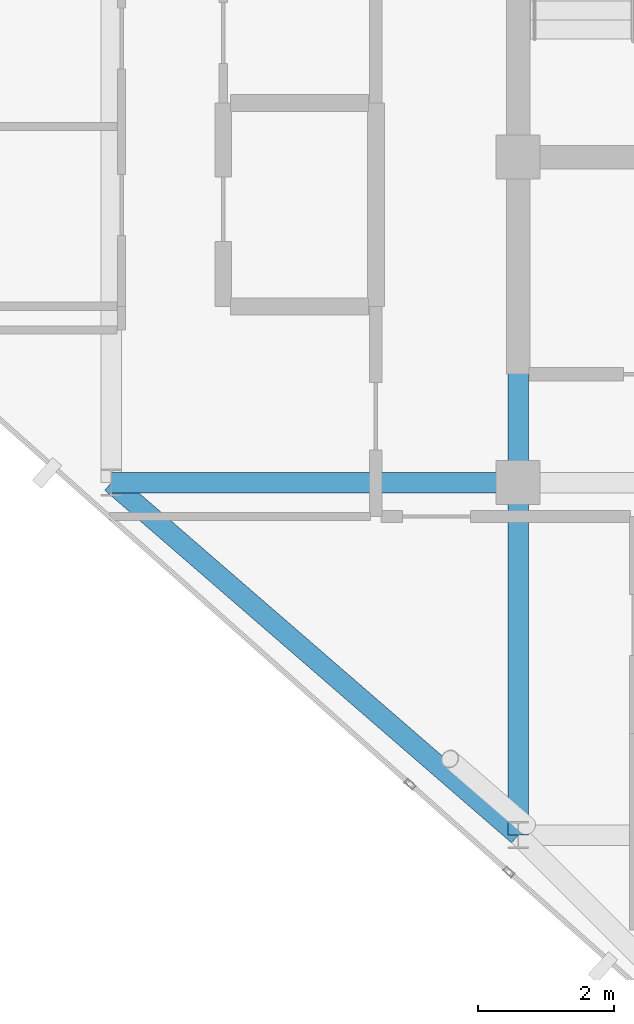
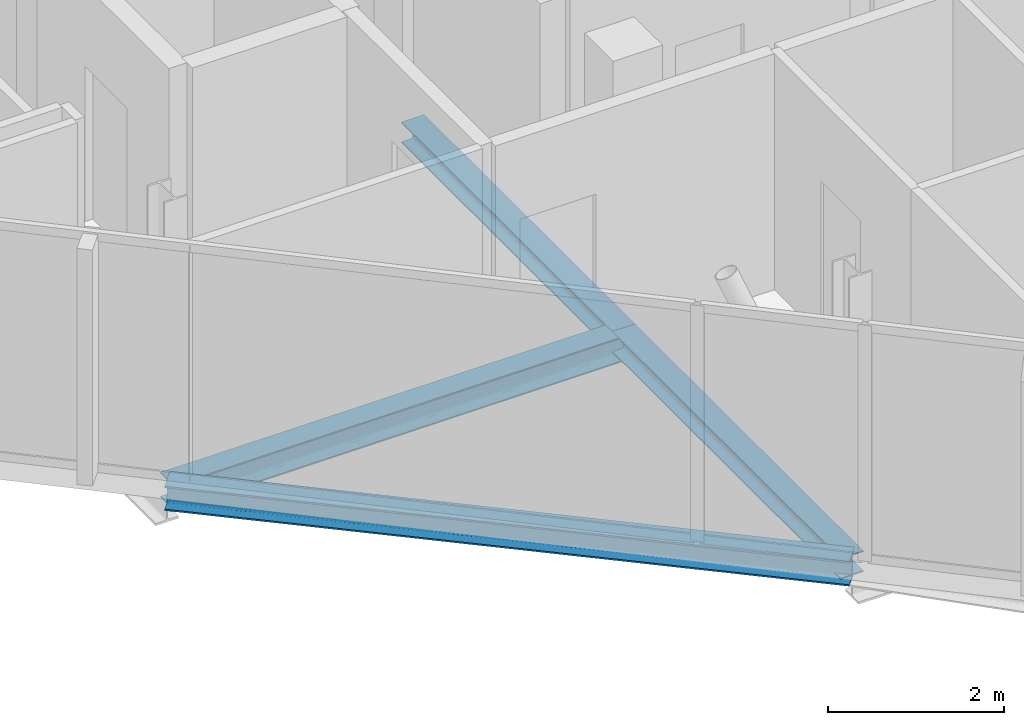
# One storey, part 5 of 27: 4 beams.
"""IFC4 building model written with IfcOpenShell, lengths in metres."""

from ifc_helpers import new_model, si_unit, direction, frame, origin, origin_2d, place, context, subcontext, project, spatial, i_section, extrude, material, material_profile, profile_set, type_object, element, save


model = new_model("IFC4")

# Units and contexts
model_context = context("Model", 3, precision=1e-05, world=origin(), true_north=direction((0.0, 1.0)))
body_context = subcontext(model_context, "Body", "Model", "MODEL_VIEW")
ifc_project = project(units=[si_unit("LENGTHUNIT", "METRE"), si_unit("AREAUNIT", "SQUARE_METRE"), si_unit("VOLUMEUNIT", "CUBIC_METRE"), si_unit("PLANEANGLEUNIT", "RADIAN"), si_unit("MASSUNIT", "GRAM", prefix="KILO")], contexts=[model_context])

# Site, building, storey
site_placement = place(None, origin())
site = spatial("IfcSite", under=ifc_project, at=site_placement, CompositionType="ELEMENT")
building_placement = place(site_placement, origin())
building = spatial("IfcBuilding", under=site, at=building_placement, Name="Keshet Zoharim Tower", CompositionType="ELEMENT")
storey_placement = place(building_placement, frame((0.0, 0.0, 311.0)))
storey = spatial("IfcBuildingStorey", under=building, at=storey_placement, Name="L78", CompositionType="ELEMENT", Elevation=311.0)

# Beams
ifc_material = material(Name="Steel S355", Category="steel")
ifc_material_profile_1 = material_profile(ifc_material, i_section(OverallWidth=0.300048828125, OverallDepth=0.2900390625, WebThickness=0.008544921875, FlangeThickness=0.013916015625, FilletRadius=0.027099609375, at=origin_2d()), Name="HEA300")
ifc_profile_set_1 = profile_set([ifc_material_profile_1], Name="Steel S355")
beam_type_1 = type_object("IfcBeamType", Name="BM-PRI-HA300", PredefinedType="BEAM", material=ifc_profile_set_1)
beam_1_placement = place(storey_placement, frame((15.0, 12.699951171875, -0.455078125), z_axis=(0.0, 1.0, 0.0), x_axis=(-1.0, 0.0, 0.0)))
element("IfcBeam", 1, at=beam_1_placement, inside=storey, type_object=beam_type_1, Name="L78 Primary Girder Y-002", PredefinedType="BEAM", context=body_context, shape_type="SweptSolid", body=[
    extrude(i_section(OverallWidth=0.300048828125, OverallDepth=0.2900390625, WebThickness=0.008544921875, FlangeThickness=0.013916015625, FilletRadius=0.027099609375, at=origin_2d()), origin(), (0.0, 0.0, 1.0), 5.199951171875),
])
beam_2_placement = place(storey_placement, frame((15.0, 17.89990234375, -0.455078125), z_axis=(0.0, 1.0, 0.0), x_axis=(-1.0, 0.0, 0.0)))
element("IfcBeam", 2, at=beam_2_placement, inside=storey, type_object=beam_type_1, Name="L78 Primary Girder Y-003", PredefinedType="BEAM", context=body_context, shape_type="SweptSolid", body=[
    extrude(i_section(OverallWidth=0.300048828125, OverallDepth=0.2900390625, WebThickness=0.008544921875, FlangeThickness=0.013916015625, FilletRadius=0.027099609375, at=origin_2d()), origin(), (0.0, 0.0, 1.0), 4.800048828125),
])
ifc_material_profile_2 = material_profile(ifc_material, i_section(OverallWidth=0.300048828125, OverallDepth=0.35009765625, WebThickness=0.010009765625, FlangeThickness=0.017578125, FilletRadius=0.027099609375, at=origin_2d()), Name="HEA360")
ifc_profile_set_2 = profile_set([ifc_material_profile_2], Name="Steel S355")
beam_type_2 = type_object("IfcBeamType", Name="BM-PRI-HA360", PredefinedType="BEAM", material=ifc_profile_set_2)
beam_3_placement = place(storey_placement, frame((9.0, 17.89990234375, -0.485107421875), z_axis=(1.0, 0.0, 0.0), x_axis=(0.0, 1.0, 0.0)))
element("IfcBeam", 3, at=beam_3_placement, inside=storey, type_object=beam_type_2, Name="L78 Primary Girder X-005", PredefinedType="BEAM", context=body_context, shape_type="SweptSolid", body=[
    extrude(i_section(OverallWidth=0.300048828125, OverallDepth=0.35009765625, WebThickness=0.010009765625, FlangeThickness=0.017578125, FilletRadius=0.027099609375, at=origin_2d()), origin(), (0.0, 0.0, 1.0), 6.0),
])
ifc_material_profile_3 = material_profile(ifc_material, i_section(OverallWidth=0.300048828125, OverallDepth=0.340087890625, WebThickness=0.011962890625, FlangeThickness=0.021484375, FilletRadius=0.027099609375, at=origin_2d()), Name="HEB340")
ifc_profile_set_3 = profile_set([ifc_material_profile_3], Name="Steel S355")
beam_type_3 = type_object("IfcBeamType", Name="BM-SPN-HB340", PredefinedType="SPANDREL", material=ifc_profile_set_3)
beam_4_placement = place(storey_placement, frame((9.0, 17.89990234375, -0.47998046875), z_axis=(0.755692126483, -0.654927026447, 0.0), x_axis=(0.654927026447, 0.755692126483, 0.0)))
element("IfcBeam", 4, at=beam_4_placement, inside=storey, type_object=beam_type_3, Name="L78 Perimeter Spandrel Beam 02", PredefinedType="SPANDREL", context=body_context, shape_type="SweptSolid", body=[
    extrude(i_section(OverallWidth=0.300048828125, OverallDepth=0.340087890625, WebThickness=0.011962890625, FlangeThickness=0.021484375, FilletRadius=0.027099609375, at=origin_2d()), origin(), (0.0, 0.0, 1.0), 7.939697265625),
])

save(model, "model.ifc")
